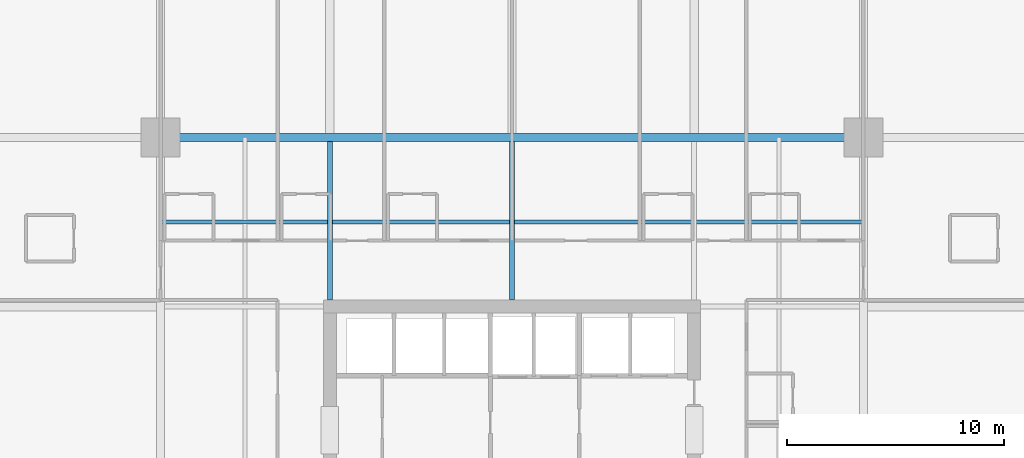
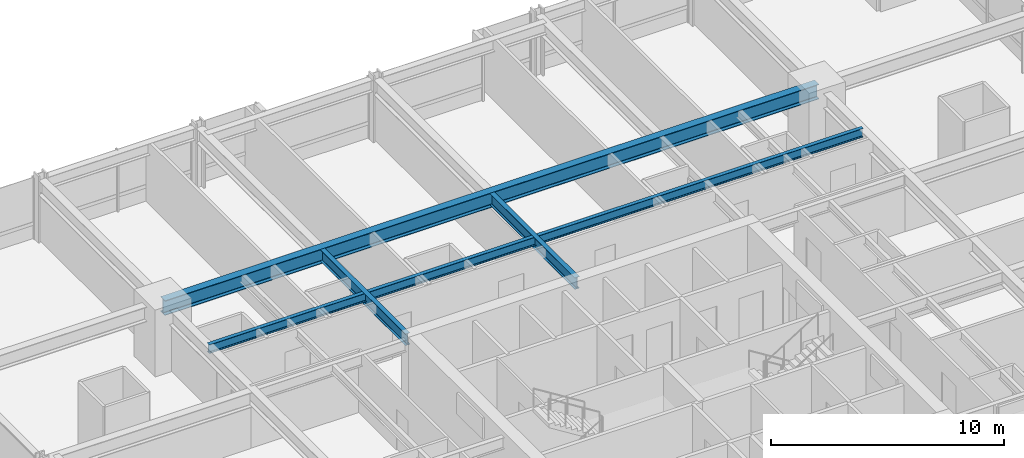
# One storey, part 20 of 38: 4 beams.
"""IFC4 building model written with IfcOpenShell, lengths in metres."""

from ifc_helpers import new_model, si_unit, direction, frame, origin, origin_2d, place, context, subcontext, project, spatial, i_section, extrude, material, material_profile, profile_set, type_object, element, save


model = new_model("IFC4")

# Units and contexts
model_context = context("Model", 3, precision=1e-05, world=origin(), true_north=direction((0.0, 1.0)))
body_context = subcontext(model_context, "Body", "Model", "MODEL_VIEW")
ifc_project = project(units=[si_unit("LENGTHUNIT", "METRE"), si_unit("AREAUNIT", "SQUARE_METRE"), si_unit("VOLUMEUNIT", "CUBIC_METRE"), si_unit("PLANEANGLEUNIT", "RADIAN"), si_unit("MASSUNIT", "GRAM", prefix="KILO")], contexts=[model_context])

# Site, building, storey
site_placement = place(None, origin())
site = spatial("IfcSite", under=ifc_project, at=site_placement, CompositionType="ELEMENT")
building_placement = place(site_placement, origin())
building = spatial("IfcBuilding", under=site, at=building_placement, Name="Drelvath Grand Hotel", CompositionType="ELEMENT")
storey_placement = place(building_placement, frame((0.0, 0.0, 71.699951171875)))
storey = spatial("IfcBuildingStorey", under=building, at=storey_placement, Name="L17", CompositionType="ELEMENT", Elevation=71.699951171875)

# Beams
ifc_material = material(Name="Steel ASTM A992 Gr 50", Category="steel")
ifc_material_profile_1 = material_profile(ifc_material, i_section(OverallWidth=0.19140625, OverallDepth=0.4599609375, WebThickness=0.010009765625, FlangeThickness=0.01611328125, FilletRadius=0.01611328125, at=origin_2d()), Name="W18X55")
ifc_profile_set_1 = profile_set([ifc_material_profile_1], Name="Steel ASTM A992 Gr 50")
beam_type_1 = type_object("IfcBeamType", Name="Composite Floor Joist W18X55", PredefinedType="JOIST", material=ifc_profile_set_1)
beam_1_placement = place(storey_placement, frame((-16.199951171875, 39.300048828125, 3.010009765625), z_axis=(1.0, 0.0, 0.0), x_axis=(0.0, 1.0, 0.0)))
element("IfcBeam", 1, at=beam_1_placement, inside=storey, type_object=beam_type_1, Name="L17 Floor Joist J2", PredefinedType="JOIST", context=body_context, shape_type="SweptSolid", body=[
    extrude(i_section(OverallWidth=0.19140625, OverallDepth=0.4599609375, WebThickness=0.010009765625, FlangeThickness=0.01611328125, FilletRadius=0.01611328125, at=origin_2d()), origin(), (0.0, 0.0, 1.0), 32.39990234375),
])
ifc_material_profile_2 = material_profile(ifc_material, i_section(OverallWidth=0.228271484375, OverallDepth=0.607666015625, WebThickness=0.01123046875, FlangeThickness=0.017333984375, FilletRadius=0.02001953125, at=origin_2d()), Name="W24X76")
ifc_profile_set_2 = profile_set([ifc_material_profile_2], Name="Steel ASTM A992 Gr 50")
beam_type_2 = type_object("IfcBeamType", Name="Primary Floor Girder W24X76", PredefinedType="BEAM", material=ifc_profile_set_2)
for number, where, z_axis, x_axis, name in (
    (2, (-8.39990234375, 35.699951171875, 2.936279296875), (0.0, 1.0, 0.0), (-1.0, 0.0, 0.0), "L17 North Core Tie 4"),
    (3, (0.0, 35.699951171875, 2.936279296875), (0.0, 1.0, 0.0), (-1.0, 0.0, 0.0), "L17 North Core Tie 5"),
):
    element("IfcBeam", number, at=place(storey_placement, frame(where, z_axis=z_axis, x_axis=x_axis)), inside=storey, type_object=beam_type_2, Name=name, PredefinedType="BEAM", context=body_context, shape_type="SweptSolid", body=[
        extrude(i_section(OverallWidth=0.228271484375, OverallDepth=0.607666015625, WebThickness=0.01123046875, FlangeThickness=0.017333984375, FilletRadius=0.02001953125, at=origin_2d()), origin(), (0.0, 0.0, 1.0), 7.309814453125),
    ])
ifc_material_profile_3 = material_profile(ifc_material, i_section(OverallWidth=0.380615234375, OverallDepth=0.773193359375, WebThickness=0.0166015625, FlangeThickness=0.027099609375, FilletRadius=0.02490234375, at=origin_2d()), Name="W30X173")
ifc_profile_set_3 = profile_set([ifc_material_profile_3], Name="Steel ASTM A992 Gr 50")
beam_type_3 = type_object("IfcBeamType", Name="Primary Floor Girder W30X173", PredefinedType="BEAM", material=ifc_profile_set_3)
beam_2_placement = place(storey_placement, frame((-16.199951171875, 43.199951171875, 2.853515625), z_axis=(1.0, 0.0, 0.0), x_axis=(0.0, 1.0, 0.0)))
element("IfcBeam", 4, at=beam_2_placement, inside=storey, type_object=beam_type_3, Name="L17 Mega Ring Girder North", PredefinedType="BEAM", context=body_context, shape_type="SweptSolid", body=[
    extrude(i_section(OverallWidth=0.380615234375, OverallDepth=0.773193359375, WebThickness=0.0166015625, FlangeThickness=0.027099609375, FilletRadius=0.02490234375, at=origin_2d()), origin(), (0.0, 0.0, 1.0), 32.39990234375),
])

save(model, "model.ifc")
